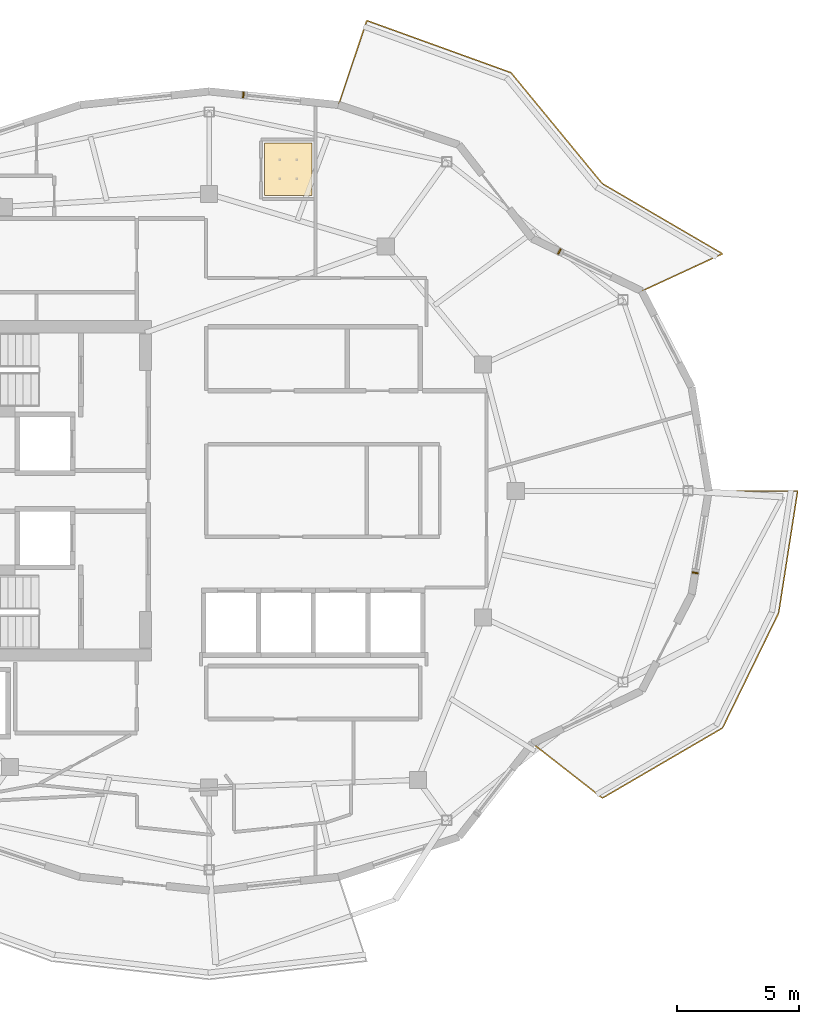
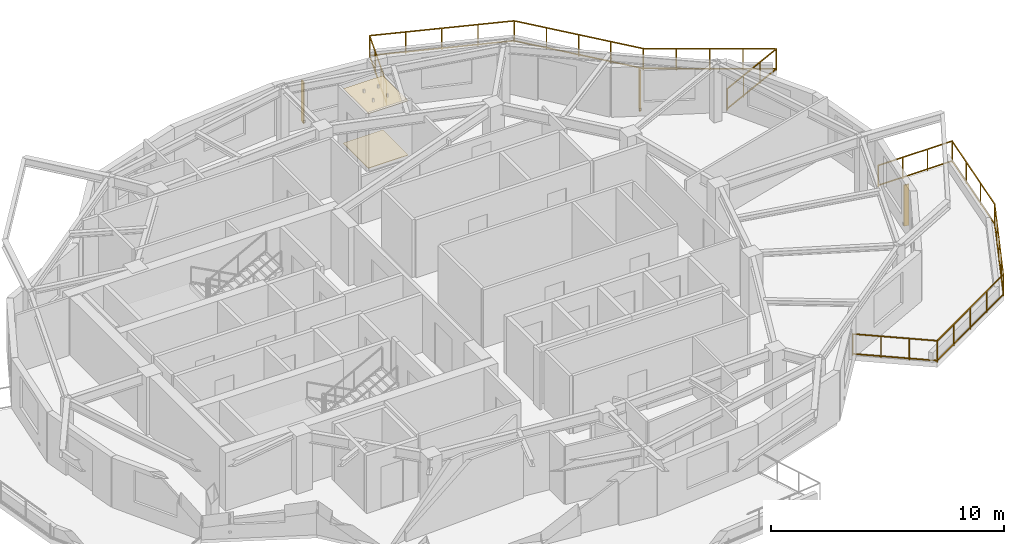
# One storey, part 11 of 11: 3 shading devices, 2 coverings, 2 railings.
"""IFC4 building model written with IfcOpenShell, lengths in metres."""

from ifc_helpers import new_model, si_unit, direction, frame, origin, origin_2d, place, context, subcontext, project, spatial, polyline, rectangle, outline, extrude, material, layer, layer_set, type_object, element, save


model = new_model("IFC4")

# Units and contexts
model_context = context("Model", 3, precision=1e-05, world=origin(), true_north=direction((0.0, 1.0)))
body_context = subcontext(model_context, "Body", "Model", "MODEL_VIEW")
ifc_project = project(units=[si_unit("LENGTHUNIT", "METRE"), si_unit("AREAUNIT", "SQUARE_METRE"), si_unit("VOLUMEUNIT", "CUBIC_METRE"), si_unit("PLANEANGLEUNIT", "RADIAN"), si_unit("MASSUNIT", "GRAM", prefix="KILO")], contexts=[model_context])

# Site, building, storey
site_placement = place(None, origin())
site = spatial("IfcSite", under=ifc_project, at=site_placement, CompositionType="ELEMENT")
building_placement = place(site_placement, origin())
building = spatial("IfcBuilding", under=site, at=building_placement, Name="Kolvaren Gate Tower and Convention Centre", CompositionType="ELEMENT")
storey_placement = place(building_placement, frame((0.0, 0.0, 269.0)))
storey = spatial("IfcBuildingStorey", under=building, at=storey_placement, Name="L73", CompositionType="ELEMENT", Elevation=269.0)

# Coverings
ifc_material_1 = material(Name="Perforated Mineral-Fibre Acoustic Ceiling Tile 18 mm", Category="gypsum")
ifc_layer_1 = layer(ifc_material_1, 0.01806640625)
ifc_layer_set_1 = layer_set([ifc_layer_1], Name="Perforated Mineral-Fibre Acoustic Ceiling Tile 18 mm")
covering_type_1 = type_object("IfcCoveringType", Name="ARCH-COV-CEIL-18", PredefinedType="CEILING", material=ifc_layer_set_1)
covering_1_placement = place(storey_placement, frame((0.0, 0.0, 2.85009765625)))
element("IfcCovering", 1, at=covering_1_placement, inside=storey, type_object=covering_type_1, Name="Apartment Fitted Kitchen (APT-L73-01) Acoustic Suspended Ceiling", PredefinedType="CEILING", context=body_context, shape_type="SweptSolid", body=[
    extrude(outline(polyline([(32.389892578125, 39.139892578125), (32.389892578125, 41.31005859375), (34.360107421875, 41.31005859375), (34.360107421875, 39.139892578125), (32.389892578125, 39.139892578125)])), origin(), (0.0, 0.0, 1.0), 0.017822265625),
])
ifc_material_2 = material(Name="FSC Andean Oak Engineered Parquet Flooring 22 mm", Category="wood")
ifc_layer_2 = layer(ifc_material_2, 0.02197265625)
ifc_layer_set_2 = layer_set([ifc_layer_2], Name="FSC Andean Oak Engineered Parquet Flooring 22 mm")
covering_type_2 = type_object("IfcCoveringType", Name="ARCH-COV-WOOD-22", PredefinedType="FLOORING", material=ifc_layer_set_2)
covering_2_placement = place(storey_placement, origin())
element("IfcCovering", 2, at=covering_2_placement, inside=storey, type_object=covering_type_2, Name="Apartment Fitted Kitchen (APT-L73-01) Interior Finish Flooring", PredefinedType="FLOORING", context=body_context, shape_type="SweptSolid", body=[
    extrude(outline(polyline([(32.389892578125, 39.139892578125), (32.389892578125, 41.31005859375), (34.360107421875, 41.31005859375), (34.360107421875, 39.139892578125), (32.389892578125, 39.139892578125)])), origin(), (0.0, 0.0, 1.0), 0.02197265625),
])

# Railings
ifc_material_3 = material(Name="Brushed Stainless Steel Grade 316L", Category="steel")
railing_type = type_object("IfcRailingType", Name="ARCH-RL-GUARD-1150", PredefinedType="GUARDRAIL", material=ifc_material_3)
railing_1_placement = place(storey_placement, frame((47.905517578125, 35.21240234375, 0.0)))
element("IfcRailing", 3, at=railing_1_placement, inside=storey, type_object=railing_type, Name="Tower L73 Terrace Perimeter Guardrail GR-1", PredefinedType="GUARDRAIL", context=body_context, shape_type="SweptSolid", body=[
    extrude(rectangle(XDim=0.048095703125, YDim=0.048095703125, at=origin_2d()), frame((0.025390625, 0.01171875, 1.1259765625), z_axis=(0.907820723829, 0.419358478377, 0.0), x_axis=(-0.419358478377, 0.907820723829, 0.0)), (0.0, 0.0, 1.0), 3.60400390625),
    extrude(rectangle(XDim=0.048095703125, YDim=0.048095703125, at=origin_2d()), frame((0.025390625, 0.01171875, 0.083984375), z_axis=(0.907820723829, 0.419358478377, 0.0), x_axis=(-0.419358478377, 0.907820723829, 0.0)), (0.0, 0.0, 1.0), 3.60400390625),
    extrude(rectangle(XDim=0.048095703125, YDim=0.048095703125, at=origin_2d()), frame((3.298583984375, 1.549072265625, 1.1259765625), z_axis=(-0.863803671285, 0.503828559606, 0.0), x_axis=(-0.503828559606, -0.863803671285, 0.0)), (0.0, 0.0, 1.0), 5.663330078125),
    extrude(rectangle(XDim=0.048095703125, YDim=0.048095703125, at=origin_2d()), frame((3.298583984375, 1.549072265625, 0.083984375), z_axis=(-0.863803671285, 0.503828559606, 0.0), x_axis=(-0.503828559606, -0.863803671285, 0.0)), (0.0, 0.0, 1.0), 5.663330078125),
    extrude(rectangle(XDim=0.048095703125, YDim=0.048095703125, at=origin_2d()), frame((-1.635498046875, 4.438232421875, 1.1259765625), z_axis=(-0.635426304589, 0.772161519008, 0.0), x_axis=(-0.772161519008, -0.635426304589, 0.0)), (0.0, 0.0, 1.0), 5.85400390625),
    extrude(rectangle(XDim=0.048095703125, YDim=0.048095703125, at=origin_2d()), frame((-1.635498046875, 4.438232421875, 0.083984375), z_axis=(-0.635426304589, 0.772161519008, 0.0), x_axis=(-0.772161519008, -0.635426304589, 0.0)), (0.0, 0.0, 1.0), 5.85400390625),
    extrude(rectangle(XDim=0.048095703125, YDim=0.048095703125, at=origin_2d()), frame((-5.3994140625, 8.989501953125, 1.1259765625), z_axis=(-0.940477613992, 0.339855642267, 0.0), x_axis=(-0.339855642267, -0.940477613992, 0.0)), (0.0, 0.0, 1.0), 6.25048828125),
    extrude(rectangle(XDim=0.048095703125, YDim=0.048095703125, at=origin_2d()), frame((-5.3994140625, 8.989501953125, 0.083984375), z_axis=(-0.940477613992, 0.339855642267, 0.0), x_axis=(-0.339855642267, -0.940477613992, 0.0)), (0.0, 0.0, 1.0), 6.25048828125),
    extrude(rectangle(XDim=0.048095703125, YDim=0.048095703125, at=origin_2d()), frame((-11.31298828125, 11.0966796875, 1.1259765625), z_axis=(-0.317588247294, -0.948228719867, 0.0), x_axis=(0.948228719867, -0.317588247294, 0.0)), (0.0, 0.0, 1.0), 3.603759765625),
    extrude(rectangle(XDim=0.048095703125, YDim=0.048095703125, at=origin_2d()), frame((-11.31298828125, 11.0966796875, 0.083984375), z_axis=(-0.317588247294, -0.948228719867, 0.0), x_axis=(0.948228719867, -0.317588247294, 0.0)), (0.0, 0.0, 1.0), 3.603759765625),
    extrude(rectangle(XDim=0.0419921875, YDim=0.0419921875, at=origin_2d()), origin(), (0.0, 0.0, 1.0), 1.14990234375),
    extrude(rectangle(XDim=0.0419921875, YDim=0.0419921875, at=origin_2d()), frame((3.32275390625, 1.534912109375, 0.0)), (0.0, 0.0, 1.0), 1.14990234375),
    extrude(rectangle(XDim=0.0419921875, YDim=0.0419921875, at=origin_2d()), frame((1.107666015625, 0.51171875, 0.0)), (0.0, 0.0, 1.0), 1.099853515625),
    extrude(rectangle(XDim=0.0419921875, YDim=0.0419921875, at=origin_2d()), frame((2.215087890625, 1.023193359375, 0.0)), (0.0, 0.0, 1.0), 1.099853515625),
    extrude(rectangle(XDim=0.0419921875, YDim=0.0419921875, at=origin_2d()), frame((-1.61767578125, 4.41650390625, 0.0)), (0.0, 0.0, 1.0), 1.14990234375),
    extrude(rectangle(XDim=0.0419921875, YDim=0.0419921875, at=origin_2d()), frame((2.087646484375, 2.25537109375, 0.0)), (0.0, 0.0, 1.0), 1.099853515625),
    extrude(rectangle(XDim=0.0419921875, YDim=0.0419921875, at=origin_2d()), frame((0.8525390625, 2.9755859375, 0.0)), (0.0, 0.0, 1.0), 1.099853515625),
    extrude(rectangle(XDim=0.0419921875, YDim=0.0419921875, at=origin_2d()), frame((-0.382568359375, 3.696044921875, 0.0)), (0.0, 0.0, 1.0), 1.099853515625),
    extrude(rectangle(XDim=0.0419921875, YDim=0.0419921875, at=origin_2d()), frame((-5.373046875, 8.97998046875, 0.0)), (0.0, 0.0, 1.0), 1.14990234375),
    extrude(rectangle(XDim=0.0419921875, YDim=0.0419921875, at=origin_2d()), frame((-2.556640625, 5.557373046875, 0.0)), (0.0, 0.0, 1.0), 1.099853515625),
    extrude(rectangle(XDim=0.0419921875, YDim=0.0419921875, at=origin_2d()), frame((-3.495361328125, 6.6982421875, 0.0)), (0.0, 0.0, 1.0), 1.099853515625),
    extrude(rectangle(XDim=0.0419921875, YDim=0.0419921875, at=origin_2d()), frame((-4.43408203125, 7.839111328125, 0.0)), (0.0, 0.0, 1.0), 1.099853515625),
    extrude(rectangle(XDim=0.0419921875, YDim=0.0419921875, at=origin_2d()), frame((-11.30419921875, 11.123291015625, 0.0)), (0.0, 0.0, 1.0), 1.14990234375),
    extrude(rectangle(XDim=0.0419921875, YDim=0.0419921875, at=origin_2d()), frame((-6.85595703125, 9.515869140625, 0.0)), (0.0, 0.0, 1.0), 1.099853515625),
    extrude(rectangle(XDim=0.0419921875, YDim=0.0419921875, at=origin_2d()), frame((-8.338623046875, 10.0517578125, 0.0)), (0.0, 0.0, 1.0), 1.099853515625),
    extrude(rectangle(XDim=0.0419921875, YDim=0.0419921875, at=origin_2d()), frame((-9.8212890625, 10.58740234375, 0.0)), (0.0, 0.0, 1.0), 1.099853515625),
    extrude(rectangle(XDim=0.0419921875, YDim=0.0419921875, at=origin_2d()), frame((-12.466552734375, 7.65283203125, 0.0)), (0.0, 0.0, 1.0), 1.14990234375),
    extrude(rectangle(XDim=0.0419921875, YDim=0.0419921875, at=origin_2d()), frame((-11.691650390625, 9.966552734375, 0.0)), (0.0, 0.0, 1.0), 1.099853515625),
    extrude(rectangle(XDim=0.0419921875, YDim=0.0419921875, at=origin_2d()), frame((-12.0791015625, 8.8095703125, 0.0)), (0.0, 0.0, 1.0), 1.099853515625),
])
railing_2_placement = place(storey_placement, frame((43.40380859375, 16.62451171875, 0.0)))
element("IfcRailing", 4, at=railing_2_placement, inside=storey, type_object=railing_type, Name="Tower L73 Terrace Perimeter Guardrail GR-4", PredefinedType="GUARDRAIL", context=body_context, shape_type="SweptSolid", body=[
    extrude(rectangle(XDim=0.048095703125, YDim=0.048095703125, at=origin_2d()), frame((0.022216796875, -0.017333984375, 1.1259765625), z_axis=(0.787988976981, -0.61568934712, 0.0), x_axis=(0.61568934712, 0.787988976981, 0.0)), (0.0, 0.0, 1.0), 3.60400390625),
    extrude(rectangle(XDim=0.048095703125, YDim=0.048095703125, at=origin_2d()), frame((0.022216796875, -0.017333984375, 0.083984375), z_axis=(0.787988976981, -0.61568934712, 0.0), x_axis=(0.61568934712, 0.787988976981, 0.0)), (0.0, 0.0, 1.0), 3.60400390625),
    extrude(rectangle(XDim=0.048095703125, YDim=0.048095703125, at=origin_2d()), frame((2.908203125, -2.2392578125, 1.1259765625), z_axis=(0.863803671285, 0.503828559606, 0.0), x_axis=(-0.503828559606, 0.863803671285, 0.0)), (0.0, 0.0, 1.0), 5.663330078125),
    extrude(rectangle(XDim=0.048095703125, YDim=0.048095703125, at=origin_2d()), frame((2.908203125, -2.2392578125, 0.083984375), z_axis=(0.863803671285, 0.503828559606, 0.0), x_axis=(-0.503828559606, 0.863803671285, 0.0)), (0.0, 0.0, 1.0), 5.663330078125),
    extrude(rectangle(XDim=0.048095703125, YDim=0.048095703125, at=origin_2d()), frame((7.836669921875, 0.6533203125, 1.1259765625), z_axis=(0.438469339137, 0.898746148051, 0.0), x_axis=(-0.898746148051, 0.438469339137, 0.0)), (0.0, 0.0, 1.0), 5.20556640625),
    extrude(rectangle(XDim=0.048095703125, YDim=0.048095703125, at=origin_2d()), frame((7.836669921875, 0.6533203125, 0.083984375), z_axis=(0.438469339137, 0.898746148051, 0.0), x_axis=(-0.898746148051, 0.438469339137, 0.0)), (0.0, 0.0, 1.0), 5.20556640625),
    extrude(rectangle(XDim=0.048095703125, YDim=0.048095703125, at=origin_2d()), frame((10.135986328125, 5.385009765625, 1.1259765625), z_axis=(0.153733081728, 0.988112412422, 0.0), x_axis=(-0.988112412422, 0.153733081728, 0.0)), (0.0, 0.0, 1.0), 5.022705078125),
    extrude(rectangle(XDim=0.048095703125, YDim=0.048095703125, at=origin_2d()), frame((10.135986328125, 5.385009765625, 0.083984375), z_axis=(0.153733081728, 0.988112412422, 0.0), x_axis=(-0.988112412422, 0.153733081728, 0.0)), (0.0, 0.0, 1.0), 5.022705078125),
    extrude(rectangle(XDim=0.048095703125, YDim=0.048095703125, at=origin_2d()), frame((10.88427734375, 10.37548828125, 1.1259765625), z_axis=(-1.0, 0.0, 0.0), x_axis=(0.0, -1.0, 0.0)), (0.0, 0.0, 1.0), 3.603759765625),
    extrude(rectangle(XDim=0.048095703125, YDim=0.048095703125, at=origin_2d()), frame((10.88427734375, 10.37548828125, 0.083984375), z_axis=(-1.0, 0.0, 0.0), x_axis=(0.0, -1.0, 0.0)), (0.0, 0.0, 1.0), 3.603759765625),
    extrude(rectangle(XDim=0.0419921875, YDim=0.0419921875, at=origin_2d()), origin(), (0.0, 0.0, 1.0), 1.14990234375),
    extrude(rectangle(XDim=0.0419921875, YDim=0.0419921875, at=origin_2d()), frame((2.884033203125, -2.25341796875, 0.0)), (0.0, 0.0, 1.0), 1.14990234375),
    extrude(rectangle(XDim=0.0419921875, YDim=0.0419921875, at=origin_2d()), frame((0.96142578125, -0.751220703125, 0.0)), (0.0, 0.0, 1.0), 1.099853515625),
    extrude(rectangle(XDim=0.0419921875, YDim=0.0419921875, at=origin_2d()), frame((1.922607421875, -1.502197265625, 0.0)), (0.0, 0.0, 1.0), 1.099853515625),
    extrude(rectangle(XDim=0.0419921875, YDim=0.0419921875, at=origin_2d()), frame((7.824462890625, 0.628173828125, 0.0)), (0.0, 0.0, 1.0), 1.14990234375),
    extrude(rectangle(XDim=0.0419921875, YDim=0.0419921875, at=origin_2d()), frame((4.119140625, -1.532958984375, 0.0)), (0.0, 0.0, 1.0), 1.099853515625),
    extrude(rectangle(XDim=0.0419921875, YDim=0.0419921875, at=origin_2d()), frame((5.354248046875, -0.8125, 0.0)), (0.0, 0.0, 1.0), 1.099853515625),
    extrude(rectangle(XDim=0.0419921875, YDim=0.0419921875, at=origin_2d()), frame((6.58935546875, -0.09228515625, 0.0)), (0.0, 0.0, 1.0), 1.099853515625),
    extrude(rectangle(XDim=0.0419921875, YDim=0.0419921875, at=origin_2d()), frame((10.131591796875, 5.357177734375, 0.0)), (0.0, 0.0, 1.0), 1.14990234375),
    extrude(rectangle(XDim=0.0419921875, YDim=0.0419921875, at=origin_2d()), frame((8.4013671875, 1.810546875, 0.0)), (0.0, 0.0, 1.0), 1.099853515625),
    extrude(rectangle(XDim=0.0419921875, YDim=0.0419921875, at=origin_2d()), frame((8.97802734375, 2.99267578125, 0.0)), (0.0, 0.0, 1.0), 1.099853515625),
    extrude(rectangle(XDim=0.0419921875, YDim=0.0419921875, at=origin_2d()), frame((9.5546875, 4.1748046875, 0.0)), (0.0, 0.0, 1.0), 1.099853515625),
    extrude(rectangle(XDim=0.0419921875, YDim=0.0419921875, at=origin_2d()), frame((10.912353515625, 10.37548828125, 0.0)), (0.0, 0.0, 1.0), 1.14990234375),
    extrude(rectangle(XDim=0.0419921875, YDim=0.0419921875, at=origin_2d()), frame((10.391845703125, 7.030029296875, 0.0)), (0.0, 0.0, 1.0), 1.099853515625),
    extrude(rectangle(XDim=0.0419921875, YDim=0.0419921875, at=origin_2d()), frame((10.652099609375, 8.70263671875, 0.0)), (0.0, 0.0, 1.0), 1.099853515625),
    extrude(rectangle(XDim=0.0419921875, YDim=0.0419921875, at=origin_2d()), frame((7.25244140625, 10.37548828125, 0.0)), (0.0, 0.0, 1.0), 1.14990234375),
    extrude(rectangle(XDim=0.0419921875, YDim=0.0419921875, at=origin_2d()), frame((9.6923828125, 10.37548828125, 0.0)), (0.0, 0.0, 1.0), 1.099853515625),
    extrude(rectangle(XDim=0.0419921875, YDim=0.0419921875, at=origin_2d()), frame((8.472412109375, 10.37548828125, 0.0)), (0.0, 0.0, 1.0), 1.099853515625),
])

# Shading devices
ifc_material_4 = material(Name="Kiln-Fired Bogota Terracotta Ceramic Louvre Profile", Category="masonry")
shading_device_type = type_object("IfcShadingDeviceType", Name="ARCH-SHD-FIN-180", PredefinedType="JALOUSIE", material=ifc_material_4)
for number, where, z_axis, x_axis, name in (
    (5, (44.518798828125, 36.839599609375, 0.219970703125), (0.0, 0.0, 1.0), (0.901356122373, -0.433078677218, 0.0), "Ceramic Vertical Brise-Soleil Fin FN-L73-02"),
    (6, (31.529296875, 43.277099609375, 0.219970703125), (0.0, 0.0, 1.0), (0.994498701491, -0.104748903254, 0.0), "Ceramic Vertical Brise-Soleil Fin FN-L73-05"),
    (7, (50.101806640625, 23.631103515625, 0.219970703125), (0.0, 0.0, 1.0), (0.162385734509, 0.986727355062, 0.0), "Ceramic Vertical Brise-Soleil Fin FN-L73-23"),
):
    element("IfcShadingDevice", number, at=place(storey_placement, frame(where, z_axis=z_axis, x_axis=x_axis)), inside=storey, type_object=shading_device_type, Name=name, PredefinedType="JALOUSIE", context=body_context, shape_type="SweptSolid", body=[
        extrude(rectangle(XDim=0.06005859375, YDim=0.239990234375, at=origin_2d()), origin(), (0.0, 0.0, 1.0), 2.14990234375),
    ])

save(model, "model.ifc")
